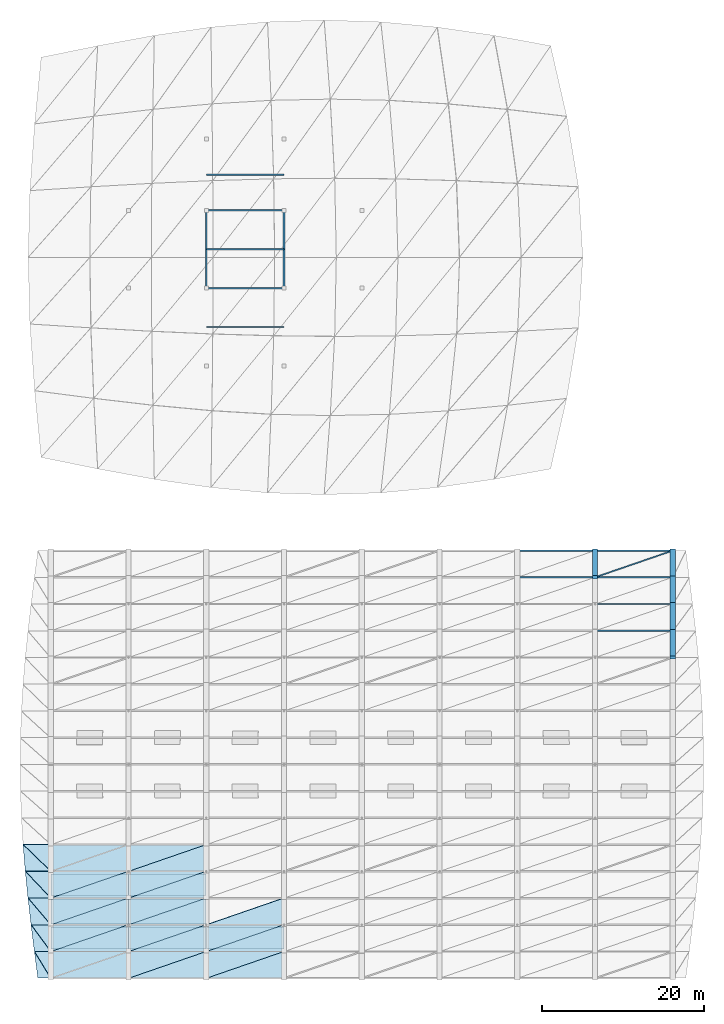
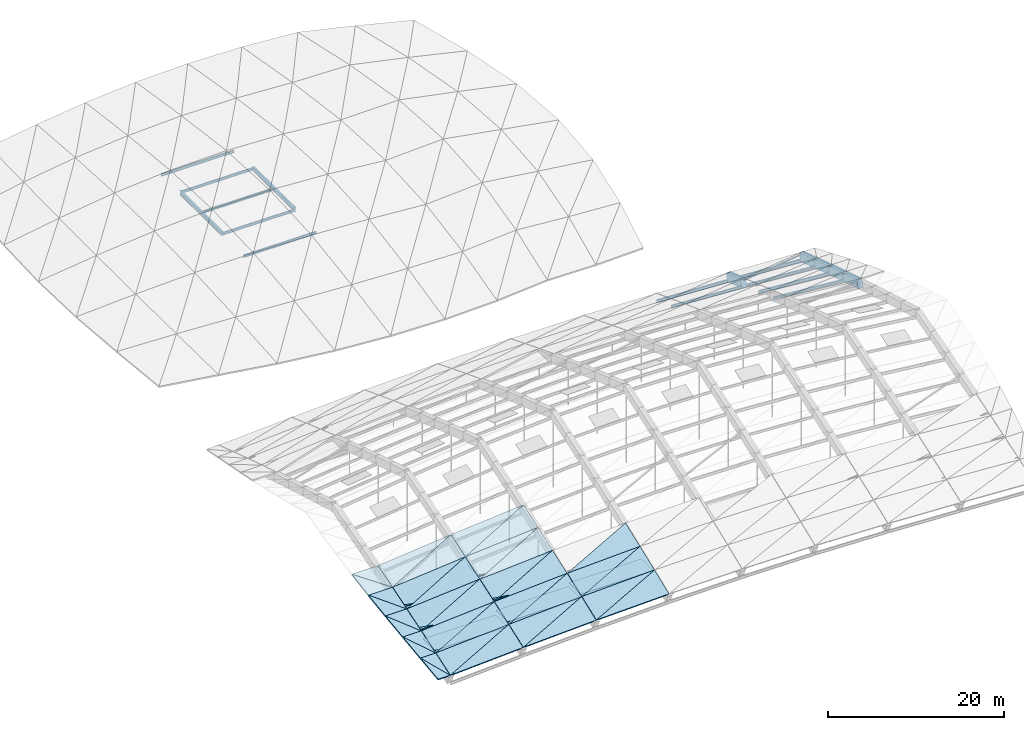
# One storey, part 36 of 43: 35 slabs, 12 members, 7 beams, 7 plates.
"""IFC4 building model written with IfcOpenShell, lengths in metres."""

from ifc_helpers import new_model, si_unit, direction, frame, origin, origin_2d, place, context, subcontext, project, spatial, polyline, rectangle, hollow_rectangle, i_section, outline, extrude, material, layer, layer_set, material_profile, profile_set, type_object, element, save


model = new_model("IFC4")

# Units and contexts
model_context = context("Model", 3, precision=1e-05, world=origin(), true_north=direction((0.0, 1.0)))
body_context = subcontext(model_context, "Body", "Model", "MODEL_VIEW")
ifc_project = project(units=[si_unit("LENGTHUNIT", "METRE"), si_unit("AREAUNIT", "SQUARE_METRE"), si_unit("VOLUMEUNIT", "CUBIC_METRE"), si_unit("PLANEANGLEUNIT", "RADIAN"), si_unit("MASSUNIT", "GRAM", prefix="KILO")], contexts=[model_context])

# Site, building, storey
site_placement = place(None, origin())
site = spatial("IfcSite", under=ifc_project, at=site_placement, CompositionType="ELEMENT")
building_placement = place(site_placement, origin())
building = spatial("IfcBuilding", under=site, at=building_placement, Name="Chalmorin Arch Market", CompositionType="ELEMENT")
storey_placement = place(building_placement, frame((0.0, 0.0, 18.60009765625)))
storey = spatial("IfcBuildingStorey", under=building, at=storey_placement, Name="RF", CompositionType="ELEMENT", Elevation=18.60009765625)

# Beams
ifc_material_1 = material(Name="Concrete C50/60", Category="concrete")
ifc_material_profile_1 = material_profile(ifc_material_1, rectangle(XDim=0.64990234375, YDim=1.14990234375, at=origin_2d()), Name="RC650X1150")
ifc_profile_set_1 = profile_set([ifc_material_profile_1], Name="Concrete C50/60")
beam_type_1 = type_object("IfcBeamType", Name="ArchRibChord-650x1150", PredefinedType="BEAM", material=ifc_profile_set_1)
beam_1_placement = place(storey_placement, frame((115.199951171875, 55.5, -1.541259765625), z_axis=(0.0, 0.940512524689, -0.339759018869), x_axis=(-1.0, 0.0, 0.0)))
element("IfcBeam", 1, at=beam_1_placement, inside=storey, type_object=beam_type_1, Name="AR-01-1733", PredefinedType="BEAM", context=body_context, shape_type="SweptSolid", body=[
    extrude(rectangle(XDim=0.64990234375, YDim=1.14990234375, at=origin_2d()), origin(), (0.0, 0.0, 1.0), 3.5087890625),
])
beam_2_placement = place(storey_placement, frame((124.800048828125, 45.60009765625, 1.00244140625), z_axis=(0.0, 0.954976504042, -0.29668143981), x_axis=(-1.0, 0.0, 0.0)))
element("IfcBeam", 2, at=beam_2_placement, inside=storey, type_object=beam_type_1, Name="AR-01-1749", PredefinedType="BEAM", context=body_context, shape_type="SweptSolid", body=[
    extrude(rectangle(XDim=0.64990234375, YDim=1.14990234375, at=origin_2d()), origin(), (0.0, 0.0, 1.0), 3.455322265625),
])
beam_3_placement = place(storey_placement, frame((124.800048828125, 48.89990234375, -0.022705078125), z_axis=(0.0, 0.952882256339, -0.303340412002), x_axis=(-1.0, 0.0, 0.0)))
element("IfcBeam", 3, at=beam_3_placement, inside=storey, type_object=beam_type_1, Name="AR-01-1750", PredefinedType="BEAM", context=body_context, shape_type="SweptSolid", body=[
    extrude(rectangle(XDim=0.64990234375, YDim=1.14990234375, at=origin_2d()), origin(), (0.0, 0.0, 1.0), 3.463134765625),
])
beam_4_placement = place(storey_placement, frame((124.800048828125, 52.199951171875, -1.0732421875), z_axis=(0.0, 0.950765438131, -0.309911409366), x_axis=(-1.0, 0.0, 0.0)))
element("IfcBeam", 4, at=beam_4_placement, inside=storey, type_object=beam_type_1, Name="AR-01-1751", PredefinedType="BEAM", context=body_context, shape_type="SweptSolid", body=[
    extrude(rectangle(XDim=0.64990234375, YDim=1.14990234375, at=origin_2d()), origin(), (0.0, 0.0, 1.0), 3.470947265625),
])
beam_5_placement = place(storey_placement, frame((124.800048828125, 55.5, -2.14892578125), z_axis=(0.0, 0.948592027555, -0.316501445903), x_axis=(-1.0, 0.0, 0.0)))
element("IfcBeam", 5, at=beam_5_placement, inside=storey, type_object=beam_type_1, Name="AR-01-1752", PredefinedType="BEAM", context=body_context, shape_type="SweptSolid", body=[
    extrude(rectangle(XDim=0.64990234375, YDim=1.14990234375, at=origin_2d()), origin(), (0.0, 0.0, 1.0), 3.47900390625),
])
ifc_material_2 = material(Name="Steel A992 Grade 50", Category="steel")
ifc_material_profile_2 = material_profile(ifc_material_2, i_section(OverallWidth=0.22802734375, OverallDepth=0.60791015625, WebThickness=0.01123046875, FlangeThickness=0.017333984375, FilletRadius=0.02392578125, at=origin_2d()), Name="W24X76")
ifc_profile_set_2 = profile_set([ifc_material_profile_2], Name="Steel A992 Grade 50")
beam_type_2 = type_object("IfcBeamType", Name="PrimarySteelGirder-W24X76", PredefinedType="BEAM", material=ifc_profile_set_2)
for number, where, z_axis, x_axis, name in (
    (6, (67.199951171875, 91.199951171875, 0.4619140625), (0.0, 0.999973365457, -0.007298518791), (-1.0, 0.0, 0.0), "BG-W24B-1557"),
    (7, (76.800048828125, 91.199951171875, 0.4208984375), (0.0, 0.999974102681, -0.00719680258), (-1.0, 0.0, 0.0), "BG-W24B-1562"),
):
    element("IfcBeam", number, at=place(storey_placement, frame(where, z_axis=z_axis, x_axis=x_axis)), inside=storey, type_object=beam_type_2, Name=name, PredefinedType="BEAM", context=body_context, shape_type="SweptSolid", body=[
        extrude(i_section(OverallWidth=0.22802734375, OverallDepth=0.60791015625, WebThickness=0.01123046875, FlangeThickness=0.017333984375, FilletRadius=0.02392578125, at=origin_2d()), origin(), (0.0, 0.0, 1.0), 9.600341796875),
    ])

# Members
ifc_material_profile_3 = material_profile(ifc_material_2, i_section(OverallWidth=0.1708984375, OverallDepth=0.35107421875, WebThickness=0.0068359375, FlangeThickness=0.009765625, FilletRadius=0.014892578125, at=origin_2d()), Name="W14X30")
ifc_profile_set_3 = profile_set([ifc_material_profile_3], Name="Steel A992 Grade 50")
member_type_1 = type_object("IfcMemberType", Name="RoofSteelPurlin-W14X30", PredefinedType="PURLIN", material=ifc_profile_set_3)
for number, where, z_axis, x_axis, name in (
    (8, (67.199951171875, 86.39990234375, 0.206787109375), (0.999992626938, 0.0, -0.003840061204), (0.0, 1.0, 0.0), "PR-W14-0072"),
    (9, (67.199951171875, 91.199951171875, 0.421875), (0.999990873349, 0.0, -0.004272378483), (0.0, 1.0, 0.0), "PR-W14-0079"),
    (10, (67.199951171875, 96.0, 0.470947265625), (0.999990433579, 0.0, -0.004374099857), (0.0, 1.0, 0.0), "PR-W14-0086"),
    (11, (67.199951171875, 100.800048828125, 0.351806640625), (0.999991408511, 0.0, -0.00414522658), (0.0, 1.0, 0.0), "PR-W14-0093"),
    (12, (67.199951171875, 105.199951171875, 0.100830078125), (0.999993387486, 0.0, -0.003636617019), (0.0, 1.0, 0.0), "PR-W14-0100"),
):
    element("IfcMember", number, at=place(storey_placement, frame(where, z_axis=z_axis, x_axis=x_axis)), inside=storey, type_object=member_type_1, Name=name, PredefinedType="PURLIN", context=body_context, shape_type="SweptSolid", body=[
        extrude(i_section(OverallWidth=0.1708984375, OverallDepth=0.35107421875, WebThickness=0.0068359375, FlangeThickness=0.009765625, FilletRadius=0.014892578125, at=origin_2d()), origin(), (0.0, 0.0, 1.0), 9.60009765625),
    ])
member_1_placement = place(storey_placement, frame((105.6201171875, 55.5, -1.506103515625), z_axis=(0.998551322998, 0.0, -0.053807576973), x_axis=(0.0, 1.0, 0.0)))
element("IfcMember", 13, at=member_1_placement, inside=storey, type_object=member_type_1, Name="PR-W14-0313", PredefinedType="PURLIN", context=body_context, shape_type="SweptSolid", body=[
    extrude(i_section(OverallWidth=0.1708984375, OverallDepth=0.35107421875, WebThickness=0.0068359375, FlangeThickness=0.009765625, FilletRadius=0.014892578125, at=origin_2d()), origin(), (0.0, 0.0, 1.0), 9.57373046875),
])
member_2_placement = place(storey_placement, frame((115.219970703125, 48.89990234375, 0.28076171875), z_axis=(0.996658913962, 0.0, -0.081676246358), x_axis=(0.0, 1.0, 0.0)))
element("IfcMember", 14, at=member_2_placement, inside=storey, type_object=member_type_1, Name="PR-W14-0328", PredefinedType="PURLIN", context=body_context, shape_type="SweptSolid", body=[
    extrude(i_section(OverallWidth=0.1708984375, OverallDepth=0.35107421875, WebThickness=0.0068359375, FlangeThickness=0.009765625, FilletRadius=0.014892578125, at=origin_2d()), origin(), (0.0, 0.0, 1.0), 9.592041015625),
])
member_3_placement = place(storey_placement, frame((115.219970703125, 55.5, -2.021240234375), z_axis=(0.997985973277, 0.0, -0.063434983592), x_axis=(0.0, 1.0, 0.0)))
element("IfcMember", 15, at=member_3_placement, inside=storey, type_object=member_type_1, Name="PR-W14-0330", PredefinedType="PURLIN", context=body_context, shape_type="SweptSolid", body=[
    extrude(i_section(OverallWidth=0.1708984375, OverallDepth=0.35107421875, WebThickness=0.0068359375, FlangeThickness=0.009765625, FilletRadius=0.014892578125, at=origin_2d()), origin(), (0.0, 0.0, 1.0), 9.579345703125),
])
ifc_material_profile_4 = material_profile(ifc_material_2, i_section(OverallWidth=0.178955078125, OverallDepth=0.409912109375, WebThickness=0.0087890625, FlangeThickness=0.014404296875, FilletRadius=0.01806640625, at=origin_2d()), Name="W16X45")
ifc_profile_set_4 = profile_set([ifc_material_profile_4], Name="Steel A992 Grade 50")
member_type_2 = type_object("IfcMemberType", Name="RoofSteelPurlin-W16X45", PredefinedType="PURLIN", material=ifc_profile_set_4)
member_4_placement = place(storey_placement, frame((105.6201171875, 58.800048828125, -2.775390625), z_axis=(0.998952116488, 0.0, -0.045767553617), x_axis=(0.0, 1.0, 0.0)))
element("IfcMember", 16, at=member_4_placement, inside=storey, type_object=member_type_2, Name="PR-W16-0314", PredefinedType="PURLIN", context=body_context, shape_type="SweptSolid", body=[
    extrude(i_section(OverallWidth=0.178955078125, OverallDepth=0.409912109375, WebThickness=0.0087890625, FlangeThickness=0.014404296875, FilletRadius=0.01806640625, at=origin_2d()), origin(), (0.0, 0.0, 1.0), 9.56982421875),
])
member_5_placement = place(storey_placement, frame((115.219970703125, 52.199951171875, -0.856689453125), z_axis=(0.997356327314, 0.0, -0.072666060622), x_axis=(0.0, 1.0, 0.0)))
element("IfcMember", 17, at=member_5_placement, inside=storey, type_object=member_type_2, Name="PR-W16-0329", PredefinedType="PURLIN", context=body_context, shape_type="SweptSolid", body=[
    extrude(i_section(OverallWidth=0.178955078125, OverallDepth=0.409912109375, WebThickness=0.0087890625, FlangeThickness=0.014404296875, FilletRadius=0.01806640625, at=origin_2d()), origin(), (0.0, 0.0, 1.0), 9.58544921875),
])
member_6_placement = place(storey_placement, frame((115.219970703125, 58.800048828125, -3.21337890625), z_axis=(0.998543164632, 0.0, -0.053958765421), x_axis=(0.0, 1.0, 0.0)))
element("IfcMember", 18, at=member_6_placement, inside=storey, type_object=member_type_2, Name="PR-W16-0331", PredefinedType="PURLIN", context=body_context, shape_type="SweptSolid", body=[
    extrude(i_section(OverallWidth=0.178955078125, OverallDepth=0.409912109375, WebThickness=0.0087890625, FlangeThickness=0.014404296875, FilletRadius=0.01806640625, at=origin_2d()), origin(), (0.0, 0.0, 1.0), 9.573974609375),
])
ifc_material_3 = material(Name="Steel A500 Grade C", Category="steel")
ifc_material_profile_5 = material_profile(ifc_material_3, hollow_rectangle(XDim=0.15234375, YDim=0.15234375, WallThickness=0.0087890625, at=origin_2d()), Name="HSS6X6X3/8")
ifc_profile_set_5 = profile_set([ifc_material_profile_5], Name="Steel A500 Grade C")
member_type_3 = type_object("IfcMemberType", Name="VaultWindBrace-HSS6X6", PredefinedType="BRACE", material=ifc_profile_set_5)
member_7_placement = place(storey_placement, frame((115.199951171875, 55.5, -1.19140625), z_axis=(0.932567132399, 0.320571434023, -0.165989455258), x_axis=(-0.325081112779, 0.945686137212, 0.0)))
element("IfcMember", 19, at=member_7_placement, inside=storey, type_object=member_type_3, Name="BR-HS6-0335", ObjectType="Diagonal brace", PredefinedType="BRACE", context=body_context, shape_type="SweptSolid", body=[
    extrude(hollow_rectangle(XDim=0.15234375, YDim=0.15234375, WallThickness=0.0087890625, at=origin_2d()), origin(), (0.0, 0.0, 1.0), 10.294189453125),
])

# Plates
ifc_material_4 = material(Name="Precast concrete C40/50", Category="concrete")
ifc_layer_1 = layer(ifc_material_4, 0.06005859375)
ifc_layer_set_1 = layer_set([ifc_layer_1], Name="Precast concrete C40/50")
plate_type_1 = type_object("IfcPlateType", Name="VaultRoofCassette-9600x2700x60", PredefinedType="SHEET", material=ifc_layer_set_1)
for number, where, z_axis, x_axis, name in (
    (20, (52.800048828125, 10.949951171875, -1.4287109375), (0.0, 0.0, 1.0), (1.0, 0.0, 0.0), "VRC-02-047"),
    (21, (52.800048828125, 17.550048828125, 0.7607421875), (0.0, 0.0, 1.0), (1.0, 0.0, 0.0), "VRC-02-049"),
    (22, (62.39990234375, 10.949951171875, -0.814453125), (0.0, 0.0, 1.0), (1.0, 0.0, 0.0), "VRC-02-053"),
    (23, (62.39990234375, 17.550048828125, 1.53857421875), (0.0, 0.0, 1.0), (1.0, 0.0, 0.0), "VRC-02-055"),
    (24, (72.0, 10.949951171875, -0.34423828125), (0.0, 0.0, 1.0), (1.0, 0.0, 0.0), "VRC-02-059"),
):
    element("IfcPlate", number, at=place(storey_placement, frame(where, z_axis=z_axis, x_axis=x_axis)), inside=storey, type_object=plate_type_1, Name=name, PredefinedType="SHEET", context=body_context, shape_type="SweptSolid", body=[
        extrude(rectangle(XDim=9.550048828125, YDim=2.699951171875, at=origin_2d()), origin(), (0.0, 0.0, 1.0), 0.06005859375),
    ])
ifc_layer_2 = layer(ifc_material_4, 0.06005859375)
ifc_layer_set_2 = layer_set([ifc_layer_2], Name="Precast concrete C40/50")
plate_type_2 = type_object("IfcPlateType", Name="VaultRoofCassette-9600x3100x60", PredefinedType="SHEET", material=ifc_layer_set_2)
for number, where, z_axis, x_axis, name in (
    (25, (52.800048828125, 14.25, -0.32080078125), (0.0, 0.0, 1.0), (1.0, 0.0, 0.0), "VRC-01-048"),
    (26, (62.39990234375, 14.25, 0.376220703125), (0.0, 0.0, 1.0), (1.0, 0.0, 0.0), "VRC-01-054"),
):
    element("IfcPlate", number, at=place(storey_placement, frame(where, z_axis=z_axis, x_axis=x_axis)), inside=storey, type_object=plate_type_2, Name=name, PredefinedType="SHEET", context=body_context, shape_type="SweptSolid", body=[
        extrude(rectangle(XDim=9.550048828125, YDim=3.10009765625, at=origin_2d()), origin(), (0.0, 0.0, 1.0), 0.06005859375),
    ])

# Slabs
ifc_material_5 = material(Name="Concrete C40/50", Category="concrete")
ifc_layer_3 = layer(ifc_material_5, 0.18994140625)
ifc_layer_set_3 = layer_set([ifc_layer_3], Name="Concrete C40/50")
slab_type = type_object("IfcSlabType", Name="VaultSlopedRoofSlab-190", PredefinedType="ROOF", material=ifc_layer_set_3)
slab_1_placement = place(storey_placement, frame((48.02001953125, 6.0, -2.60009765625), z_axis=(-0.050757425148, -0.339321073282, 0.939300214531), x_axis=(0.998543164632, 0.0, 0.053958765421)))
element("IfcSlab", 27, at=slab_1_placement, inside=storey, type_object=slab_type, Name="RS-190-360", PredefinedType="ROOF", context=body_context, shape_type="SweptSolid", body=[
    extrude(outline(polyline([(0.0, 0.0), (9.57400634480209, -5.551115123125783e-17), (9.638332675747302, 3.508187424317036), (0.0, 0.0)])), origin(), (0.0, 0.0, -1.0), 0.18994140625),
])
slab_2_placement = place(storey_placement, frame((48.02001953125, 6.0, -2.60009765625), z_axis=(-0.06018605132, -0.315927684628, 0.946872397587), x_axis=(0.932057494114, 0.321738116041, 0.166593554352)))
element("IfcSlab", 28, at=slab_2_placement, inside=storey, type_object=slab_type, Name="RS-190-361", PredefinedType="ROOF", context=body_context, shape_type="SweptSolid", body=[
    extrude(outline(polyline([(0.0, 0.0), (10.256940858390204, 0.0), (1.245183360511725, 3.248415783410405), (0.0, 0.0)])), origin(), (0.0, 0.0, -1.0), 0.18994140625),
])
slab_3_placement = place(storey_placement, frame((48.02001953125, 9.300048828125, -1.4990234375), z_axis=(-0.059831505277, -0.332242080319, 0.94129452938), x_axis=(0.997985973277, 0.0, 0.063434983592)))
element("IfcSlab", 29, at=slab_3_placement, inside=storey, type_object=slab_type, Name="RS-190-362", PredefinedType="ROOF", context=body_context, shape_type="SweptSolid", body=[
    extrude(outline(polyline([(0.0, 0.0), (9.579351663994741, 0.0), (9.653240410751621, 3.4988012134354913), (0.0, 0.0)])), origin(), (0.0, 0.0, -1.0), 0.18994140625),
])
slab_4_placement = place(storey_placement, frame((48.02001953125, 9.300048828125, -1.4990234375), z_axis=(-0.069104405448, -0.309233974186, 0.948471892233), x_axis=(0.931076422829, 0.321399458792, 0.172624108222)))
element("IfcSlab", 30, at=slab_4_placement, inside=storey, type_object=slab_type, Name="RS-190-363", PredefinedType="ROOF", context=body_context, shape_type="SweptSolid", body=[
    extrude(outline(polyline([(0.0, 0.0), (10.267748553548914, -4.996003610813204e-16), (1.2463649730045745, 3.2395242106941895), (0.0, 0.0)])), origin(), (0.0, 0.0, -1.0), 0.18994140625),
])
slab_5_placement = place(storey_placement, frame((48.02001953125, 12.60009765625, -0.423095703125), z_axis=(-0.068720006259, -0.325052283911, 0.943195935882), x_axis=(0.997356327314, 0.0, 0.072666060622)))
element("IfcSlab", 31, at=slab_5_placement, inside=storey, type_object=slab_type, Name="RS-190-364", PredefinedType="ROOF", context=body_context, shape_type="SweptSolid", body=[
    extrude(outline(polyline([(0.0, 0.0), (9.585399251934621, 0.0), (9.668035607006942, 3.489286752388197), (0.0, 0.0)])), origin(), (0.0, 0.0, -1.0), 0.18994140625),
])
slab_6_placement = place(storey_placement, frame((48.02001953125, 12.60009765625, -0.423095703125), z_axis=(-0.07785287163, -0.302376227367, 0.950003972361), x_axis=(0.930109229544, 0.321041839382, 0.178406722077)))
element("IfcSlab", 32, at=slab_6_placement, inside=storey, type_object=slab_type, Name="RS-190-365", PredefinedType="ROOF", context=body_context, shape_type="SweptSolid", body=[
    extrude(outline(polyline([(0.0, 0.0), (10.278425683865494, 2.220446049250313e-16), (1.2467546922522172, 3.230701012659596), (0.0, 0.0)])), origin(), (0.0, 0.0, -1.0), 0.18994140625),
])
slab_7_placement = place(storey_placement, frame((48.02001953125, 15.89990234375, 0.627197265625), z_axis=(-0.077441564512, -0.317814729159, 0.944984974492), x_axis=(0.996658913962, 0.0, 0.081676246358)))
element("IfcSlab", 33, at=slab_7_placement, inside=storey, type_object=slab_type, Name="RS-190-366", PredefinedType="ROOF", context=body_context, shape_type="SweptSolid", body=[
    extrude(outline(polyline([(0.0, 0.0), (9.592106647340225, 0.0), (9.682756114123833, 3.4805030448554493), (0.0, 0.0)])), origin(), (0.0, 0.0, -1.0), 0.18994140625),
])
slab_8_placement = place(storey_placement, frame((48.02001953125, 15.89990234375, 0.627197265625), z_axis=(-0.086399199528, -0.295552086341, 0.951411657791), x_axis=(0.929126356154, 0.320726312788, 0.184007735124)))
element("IfcSlab", 34, at=slab_8_placement, inside=storey, type_object=slab_type, Name="RS-190-367", PredefinedType="ROOF", context=body_context, shape_type="SweptSolid", body=[
    extrude(outline(polyline([(0.0, 0.0), (10.289298684111104, 0.0), (1.2470473754234004, 3.2227504442456008), (0.0, 0.0)])), origin(), (0.0, 0.0, -1.0), 0.18994140625),
])
slab_9_placement = place(storey_placement, frame((48.02001953125, 19.199951171875, 1.65234375), z_axis=(-0.085968249586, -0.310536181793, 0.946666118471), x_axis=(0.995901957403, 0.0, 0.090439434101)))
element("IfcSlab", 35, at=slab_9_placement, inside=storey, type_object=slab_type, Name="RS-190-368", PredefinedType="ROOF", context=body_context, shape_type="SweptSolid", body=[
    extrude(outline(polyline([(0.0, 0.0), (9.599397332924068, 0.0), (9.697299786733565, 3.4716834407942483), (0.0, 0.0)])), origin(), (0.0, 0.0, -1.0), 0.18994140625),
])
slab_10_placement = place(storey_placement, frame((48.02001953125, 19.199951171875, 1.65234375), z_axis=(-0.094767721083, -0.288633721807, 0.952737977451), x_axis=(0.928160113978, 0.320392774417, 0.189386570067)))
element("IfcSlab", 36, at=slab_10_placement, inside=storey, type_object=slab_type, Name="RS-190-369", PredefinedType="ROOF", context=body_context, shape_type="SweptSolid", body=[
    extrude(outline(polyline([(0.0, 0.0), (10.300010148872081, -6.106226635438361e-16), (1.2466521328674185, 3.2149171849335327), (0.0, 0.0)])), origin(), (0.0, 0.0, -1.0), 0.18994140625),
])
slab_11_placement = place(storey_placement, frame((57.6201171875, 6.0, -2.08349609375), z_axis=(-0.042722548943, -0.35866056806, 0.932489882374), x_axis=(0.998952116488, 0.0, 0.045767553617)))
element("IfcSlab", 37, at=slab_11_placement, inside=storey, type_object=slab_type, Name="RS-190-386", PredefinedType="ROOF", context=body_context, shape_type="SweptSolid", body=[
    extrude(outline(polyline([(0.0, 0.0), (9.569842533327806, 2.7755575615628914e-17), (9.62793469916145, 3.5352563321919797), (0.0, 0.0)])), origin(), (0.0, 0.0, -1.0), 0.18994140625),
])
slab_12_placement = place(storey_placement, frame((57.6201171875, 6.0, -2.08349609375), z_axis=(-0.050615159003, -0.339323526419, 0.939307005243), x_axis=(0.932076537229, 0.321752906344, 0.166458391216)))
element("IfcSlab", 38, at=slab_12_placement, inside=storey, type_object=slab_type, Name="RS-190-387", PredefinedType="ROOF", context=body_context, shape_type="SweptSolid", body=[
    extrude(outline(polyline([(0.0, 0.0), (10.256469368433788, 2.220446049250313e-16), (1.2602417869539788, 3.274646167054407), (0.0, 0.0)])), origin(), (0.0, 0.0, -1.0), 0.18994140625),
])
slab_13_placement = place(storey_placement, frame((57.6201171875, 9.300048828125, -0.891357421875), z_axis=(-0.050376988677, -0.351352103485, 0.934887083229), x_axis=(0.998551322998, 0.0, 0.053807576973)))
element("IfcSlab", 39, at=slab_13_placement, inside=storey, type_object=slab_type, Name="RS-190-388", PredefinedType="ROOF", context=body_context, shape_type="SweptSolid", body=[
    extrude(outline(polyline([(0.0, 0.0), (9.573683628425485, 0.0), (9.640417635022644, 3.5247766092767234), (0.0, 0.0)])), origin(), (0.0, 0.0, -1.0), 0.18994140625),
])
slab_14_placement = place(storey_placement, frame((57.6201171875, 9.300048828125, -0.891357421875), z_axis=(-0.058156072275, -0.332275035518, 0.941387896687), x_axis=(0.93133960941, 0.321498518793, 0.171012380715)))
element("IfcSlab", 40, at=slab_14_placement, inside=storey, type_object=slab_type, Name="RS-190-389", PredefinedType="ROOF", context=body_context, shape_type="SweptSolid", body=[
    extrude(outline(polyline([(0.0, 0.0), (10.26458485877339, 1.1102230246251565e-16), (1.260155162822734, 3.264824412375983), (0.0, 0.0)])), origin(), (0.0, 0.0, -1.0), 0.18994140625),
])
slab_15_placement = place(storey_placement, frame((57.6201171875, 12.60009765625, 0.2734375), z_axis=(-0.057897893687, -0.343929794798, 0.937208690824), x_axis=(0.998097248777, 0.0, 0.061659403039)))
element("IfcSlab", 41, at=slab_15_placement, inside=storey, type_object=slab_type, Name="RS-190-390", PredefinedType="ROOF", context=body_context, shape_type="SweptSolid", body=[
    extrude(outline(polyline([(0.0, 0.0), (9.578039078692683, 0.0), (9.652704762060043, 3.5141863411436383), (0.0, 0.0)])), origin(), (0.0, 0.0, -1.0), 0.18994140625),
])
slab_16_placement = place(storey_placement, frame((57.6201171875, 12.60009765625, 0.2734375), z_axis=(-0.065556192067, -0.325121649277, 0.943397211599), x_axis=(0.930622178417, 0.321227095117, 0.17537250184)))
element("IfcSlab", 42, at=slab_16_placement, inside=storey, type_object=slab_type, Name="RS-190-391", PredefinedType="ROOF", context=body_context, shape_type="SweptSolid", body=[
    extrude(outline(polyline([(0.0, 0.0), (10.272497985581559, -3.3306690738754696e-16), (1.2594215163979712, 3.2551203129232027), (0.0, 0.0)])), origin(), (0.0, 0.0, -1.0), 0.18994140625),
])
slab_17_placement = place(storey_placement, frame((57.6201171875, 15.89990234375, 1.41064453125), z_axis=(-0.065282424922, -0.336389317016, 0.939457520271), x_axis=(0.997594314234, 0.0, 0.069322321144)))
element("IfcSlab", 43, at=slab_17_placement, inside=storey, type_object=slab_type, Name="RS-190-392", PredefinedType="ROOF", context=body_context, shape_type="SweptSolid", body=[
    extrude(outline(polyline([(0.0, 0.0), (9.582867821845197, 2.7755575615628914e-17), (9.664781892728065, 3.504266958958888), (0.0, 0.0)])), origin(), (0.0, 0.0, -1.0), 0.18994140625),
])
slab_18_placement = place(storey_placement, frame((57.6201171875, 15.89990234375, 1.41064453125), z_axis=(-0.072787281917, -0.317926489095, 0.945317279607), x_axis=(0.929901262014, 0.32100200114, 0.179558787499)))
element("IfcSlab", 44, at=slab_18_placement, inside=storey, type_object=slab_type, Name="RS-190-393", PredefinedType="ROOF", context=body_context, shape_type="SweptSolid", body=[
    extrude(outline(polyline([(0.0, 0.0), (10.280461855075153, 0.0), (1.2586079827593142, 3.246232387986223), (0.0, 0.0)])), origin(), (0.0, 0.0, -1.0), 0.18994140625),
])
slab_19_placement = place(storey_placement, frame((57.6201171875, 19.199951171875, 2.5205078125), z_axis=(-0.072500320786, -0.328863526391, 0.941590401659), x_axis=(0.99704879106, 0.0, 0.076770490718)))
element("IfcSlab", 45, at=slab_19_placement, inside=storey, type_object=slab_type, Name="RS-190-394", PredefinedType="ROOF", context=body_context, shape_type="SweptSolid", body=[
    extrude(outline(polyline([(0.0, 0.0), (9.588110971939729, -2.7755575615628914e-17), (9.6765957098987, 3.4944171995874944), (0.0, 0.0)])), origin(), (0.0, 0.0, -1.0), 0.18994140625),
])
slab_20_placement = place(storey_placement, frame((57.6201171875, 19.199951171875, 2.5205078125), z_axis=(-0.079870353722, -0.310694328031, 0.94714822553), x_axis=(0.929200106105, 0.320759962056, 0.183576168267)))
element("IfcSlab", 46, at=slab_20_placement, inside=storey, type_object=slab_type, Name="RS-190-395", PredefinedType="ROOF", context=body_context, shape_type="SweptSolid", body=[
    extrude(outline(polyline([(0.0, 0.0), (10.288219287009918, -1.6653345369377348e-16), (1.2572483245133592, 3.2375140855377387), (0.0, 0.0)])), origin(), (0.0, 0.0, -1.0), 0.18994140625),
])
slab_21_placement = place(storey_placement, frame((67.219970703125, 6.0, -1.6455078125), z_axis=(-0.028415730057, -0.371430094394, 0.928025986308), x_axis=(0.999531551216, 0.0, 0.030605197658)))
element("IfcSlab", 47, at=slab_21_placement, inside=storey, type_object=slab_type, Name="RS-190-412", PredefinedType="ROOF", context=body_context, shape_type="SweptSolid", body=[
    extrude(outline(polyline([(0.0, 0.0), (9.564539090456318, -1.3877787807814457e-17), (9.604962459433855, 3.554321724745848), (0.0, 0.0)])), origin(), (0.0, 0.0, -1.0), 0.18994140625),
])
slab_22_placement = place(storey_placement, frame((67.219970703125, 6.0, -1.6455078125), z_axis=(-0.033588786704, -0.358785769696, 0.932815396995), x_axis=(0.933461913265, 0.322222909281, 0.157547622064)))
element("IfcSlab", 48, at=slab_22_placement, inside=storey, type_object=slab_type, Name="RS-190-413", PredefinedType="ROOF", context=body_context, shape_type="SweptSolid", body=[
    extrude(outline(polyline([(0.0, 0.0), (10.241509008448608, 5.551115123125783e-16), (1.2633244999643538, 3.302336027999656), (0.0, 0.0)])), origin(), (0.0, 0.0, -1.0), 0.18994140625),
])
slab_23_placement = place(storey_placement, frame((67.219970703125, 9.300048828125, -0.376220703125), z_axis=(-0.033516063907, -0.363999883152, 0.930795766281), x_axis=(0.999352342864, 0.0, 0.035984646903)))
element("IfcSlab", 49, at=slab_23_placement, inside=storey, type_object=slab_type, Name="RS-190-414", PredefinedType="ROOF", context=body_context, shape_type="SweptSolid", body=[
    extrude(outline(polyline([(0.0, 0.0), (9.566254246580067, 2.7755575615628914e-17), (9.612693417363914, 3.5431097211902043), (0.0, 0.0)])), origin(), (0.0, 0.0, -1.0), 0.18994140625),
])
slab_24_placement = place(storey_placement, frame((67.219970703125, 9.300048828125, -0.376220703125), z_axis=(-0.038601838251, -0.351536586026, 0.935377959313), x_axis=(0.933155054347, 0.322116984259, 0.159569085344)))
element("IfcSlab", 50, at=slab_24_placement, inside=storey, type_object=slab_type, Name="RS-190-415", PredefinedType="ROOF", context=body_context, shape_type="SweptSolid", body=[
    extrude(outline(polyline([(0.0, 0.0), (10.244876828572615, -6.661338147750939e-16), (1.2609048412544306, 3.2922063353079745), (0.0, 0.0)])), origin(), (0.0, 0.0, -1.0), 0.18994140625),
])
slab_25_placement = place(storey_placement, frame((67.219970703125, 12.60009765625, 0.864013671875), z_axis=(-0.038524086387, -0.356517876228, 0.933493920011), x_axis=(0.999149533114, 0.0, 0.041233608599)))
element("IfcSlab", 51, at=slab_25_placement, inside=storey, type_object=slab_type, Name="RS-190-416", PredefinedType="ROOF", context=body_context, shape_type="SweptSolid", body=[
    extrude(outline(polyline([(0.0, 0.0), (9.568196027630275, 0.0), (9.620160843935711, 3.5318905053429535), (0.0, 0.0)])), origin(), (0.0, 0.0, -1.0), 0.18994140625),
])
slab_26_placement = place(storey_placement, frame((45.970947265625, 9.300048828125, -1.4990234375), z_axis=(0.0, -0.316501445903, 0.948592027555), x_axis=(0.122375471434, -0.941462292189, -0.314122581769)))
element("IfcSlab", 52, at=slab_26_placement, inside=storey, type_object=slab_type, Name="RS-190-566", PredefinedType="ROOF", context=body_context, shape_type="SweptSolid", body=[
    extrude(outline(polyline([(0.0, 0.0), (3.505237390285333, 2.7755575615628914e-17), (3.6986001957350965, 1.5682020617803414), (0.0, 0.0)])), origin(), (0.0, 0.0, -1.0), 0.18994140625),
])
slab_27_placement = place(storey_placement, frame((47.97998046875, 9.300048828125, -1.4990234375), z_axis=(0.0, -0.316501445903, 0.948592027555), x_axis=(-1.0, 0.0, 0.0)))
element("IfcSlab", 53, at=slab_27_placement, inside=storey, type_object=slab_type, Name="RS-190-567", PredefinedType="ROOF", context=body_context, shape_type="SweptSolid", body=[
    extrude(outline(polyline([(0.0, 0.0), (2.009033203125, 0.0), (0.0, 3.4788915911831904), (0.0, 0.0)])), origin(), (0.0, 0.0, -1.0), 0.18994140625),
])
slab_28_placement = place(storey_placement, frame((45.55810546875, 12.60009765625, -0.423095703125), z_axis=(0.0, -0.309974990116, 0.950744711004), x_axis=(0.118107323013, -0.944090292828, -0.307805424317)))
element("IfcSlab", 54, at=slab_28_placement, inside=storey, type_object=slab_type, Name="RS-190-568", PredefinedType="ROOF", context=body_context, shape_type="SweptSolid", body=[
    extrude(outline(polyline([(0.0, 0.0), (3.495480096761171, -1.3877787807814457e-17), (3.732761630227254, 1.9949716502082642), (0.0, 0.0)])), origin(), (0.0, 0.0, -1.0), 0.18994140625),
])
slab_29_placement = place(storey_placement, frame((47.97998046875, 12.60009765625, -0.423095703125), z_axis=(0.0, -0.309974990116, 0.950744711004), x_axis=(-1.0, 0.0, 0.0)))
element("IfcSlab", 55, at=slab_29_placement, inside=storey, type_object=slab_type, Name="RS-190-569", PredefinedType="ROOF", context=body_context, shape_type="SweptSolid", body=[
    extrude(outline(polyline([(0.0, 0.0), (2.421875, 0.0), (0.0, 3.471014658224091), (0.0, 0.0)])), origin(), (0.0, 0.0, -1.0), 0.18994140625),
])
slab_30_placement = place(storey_placement, frame((45.177978515625, 15.89990234375, 0.627197265625), z_axis=(0.0, -0.303296775801, 0.952896146381), x_axis=(0.109115162821, -0.947206512966, -0.301485825598)))
element("IfcSlab", 56, at=slab_30_placement, inside=storey, type_object=slab_type, Name="RS-190-570", PredefinedType="ROOF", context=body_context, shape_type="SweptSolid", body=[
    extrude(outline(polyline([(0.0, 0.0), (3.483722548703436, 6.938893903907228e-18), (3.74798583366057, 2.4074142626163586), (0.0, 0.0)])), origin(), (0.0, 0.0, -1.0), 0.18994140625),
])
slab_31_placement = place(storey_placement, frame((47.97998046875, 15.89990234375, 0.627197265625), z_axis=(0.0, -0.303296775801, 0.952896146381), x_axis=(-1.0, 0.0, 0.0)))
element("IfcSlab", 57, at=slab_31_placement, inside=storey, type_object=slab_type, Name="RS-190-571", PredefinedType="ROOF", context=body_context, shape_type="SweptSolid", body=[
    extrude(outline(polyline([(0.0, 0.0), (2.802001953125, 0.0), (0.0, 3.4629216415987036), (0.0, 0.0)])), origin(), (0.0, 0.0, -1.0), 0.18994140625),
])
slab_32_placement = place(storey_placement, frame((44.843994140625, 19.199951171875, 1.65234375), z_axis=(0.0, -0.296661422778, 0.95498272248), x_axis=(0.096201600598, -0.950553388366, -0.295285468502)))
element("IfcSlab", 58, at=slab_32_placement, inside=storey, type_object=slab_type, Name="RS-190-572", PredefinedType="ROOF", context=body_context, shape_type="SweptSolid", body=[
    extrude(outline(polyline([(0.0, 0.0), (3.471713286718785, 3.469446951953614e-17), (3.741270359488382, 2.7890059035140458), (0.0, 0.0)])), origin(), (0.0, 0.0, -1.0), 0.18994140625),
])
slab_33_placement = place(storey_placement, frame((47.97998046875, 19.199951171875, 1.65234375), z_axis=(0.0, -0.296661422778, 0.95498272248), x_axis=(-1.0, 0.0, 0.0)))
element("IfcSlab", 59, at=slab_33_placement, inside=storey, type_object=slab_type, Name="RS-190-573", PredefinedType="ROOF", context=body_context, shape_type="SweptSolid", body=[
    extrude(outline(polyline([(0.0, 0.0), (3.135986328125, 0.0), (0.0, 3.455611028810333), (0.0, 0.0)])), origin(), (0.0, 0.0, -1.0), 0.18994140625),
])
slab_34_placement = place(storey_placement, frame((44.571044921875, 22.5, 2.652099609375), z_axis=(0.0, -0.2899386161, 0.957045243912), x_axis=(0.078911003698, -0.954060855983, -0.28903449029)))
element("IfcSlab", 60, at=slab_34_placement, inside=storey, type_object=slab_type, Name="RS-190-574", PredefinedType="ROOF", context=body_context, shape_type="SweptSolid", body=[
    extrude(outline(polyline([(0.0, 0.0), (3.458950031784222, 4.85722573273506e-17), (3.706413860520386, 3.126207271383994), (0.0, 0.0)])), origin(), (0.0, 0.0, -1.0), 0.18994140625),
])
slab_35_placement = place(storey_placement, frame((47.97998046875, 22.5, 2.652099609375), z_axis=(0.0, -0.2899386161, 0.957045243912), x_axis=(-1.0, 0.0, 0.0)))
element("IfcSlab", 61, at=slab_35_placement, inside=storey, type_object=slab_type, Name="RS-190-575", PredefinedType="ROOF", context=body_context, shape_type="SweptSolid", body=[
    extrude(outline(polyline([(0.0, 0.0), (3.408935546875, 0.0), (0.0, 3.448163865938484), (0.0, 0.0)])), origin(), (0.0, 0.0, -1.0), 0.18994140625),
])

save(model, "model.ifc")
